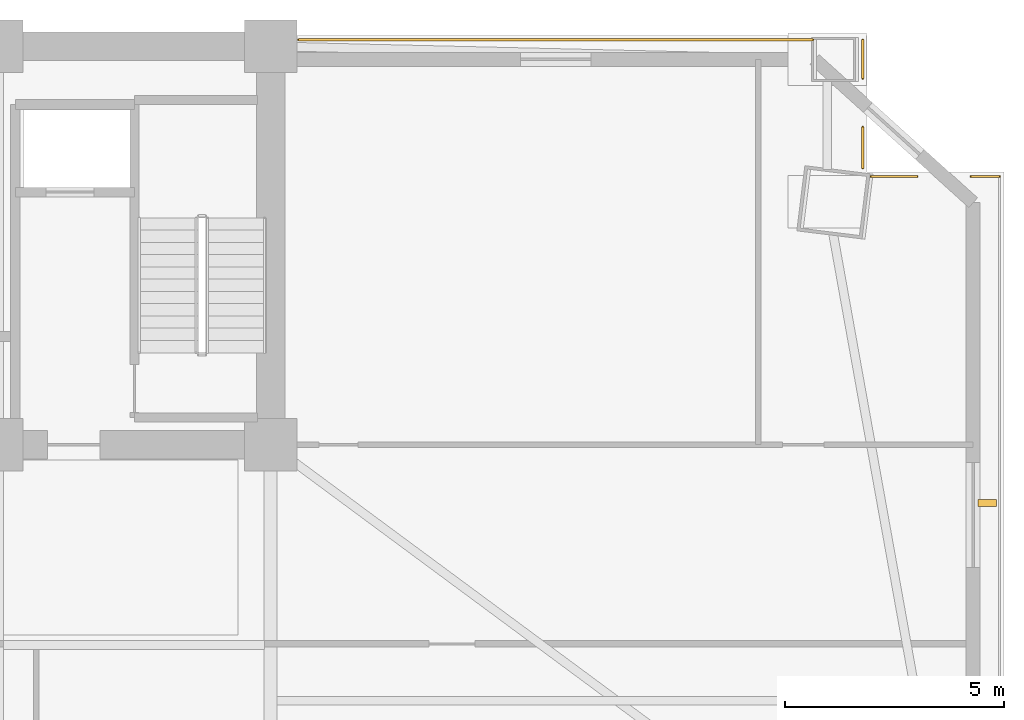
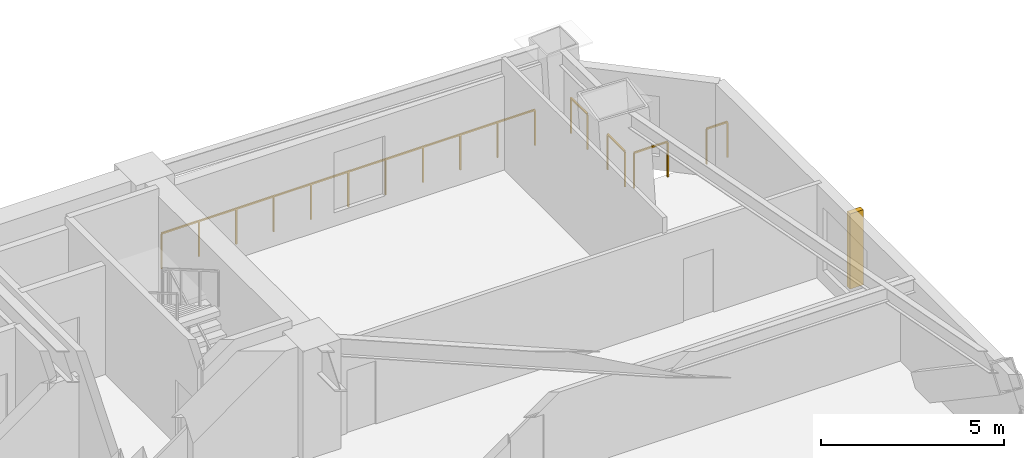
# One storey, part 18 of 18: 5 railings, 1 shading device.
"""IFC4 building model written with IfcOpenShell, lengths in metres."""

from ifc_helpers import new_model, si_unit, direction, frame, origin, origin_2d, place, context, subcontext, project, spatial, rectangle, extrude, source, transform, mapped, material, type_object, element, save


model = new_model("IFC4")

# Units and contexts
model_context = context("Model", 3, precision=1e-05, world=origin(), true_north=direction((0.0, 1.0)))
body_context = subcontext(model_context, "Body", "Model", "MODEL_VIEW")
ifc_project = project(units=[si_unit("LENGTHUNIT", "METRE"), si_unit("AREAUNIT", "SQUARE_METRE"), si_unit("VOLUMEUNIT", "CUBIC_METRE"), si_unit("PLANEANGLEUNIT", "RADIAN"), si_unit("MASSUNIT", "GRAM", prefix="KILO")], contexts=[model_context])

# Site, building, storey
site_placement = place(None, origin())
site = spatial("IfcSite", under=ifc_project, at=site_placement, CompositionType="ELEMENT")
building_placement = place(site_placement, origin())
building = spatial("IfcBuilding", under=site, at=building_placement, Name="Giltprow Tower", CompositionType="ELEMENT")
storey_placement = place(building_placement, frame((0.0, 0.0, 68.89990234375)))
storey = spatial("IfcBuildingStorey", under=building, at=storey_placement, Name="L17", CompositionType="ELEMENT", Elevation=68.89990234375)

# Railings
ifc_material = material(Name="Anodized bronze", Category="metal")
railing_type = type_object("IfcRailingType", Name="RAIL-BALC-GUARD-1200", PredefinedType="BALUSTRADE", material=ifc_material)
railing_1_placement = place(storey_placement, frame((51.18505859375, 46.699951171875, 0.0)))
element("IfcRailing", 1, at=railing_1_placement, inside=storey, type_object=railing_type, Name="L17 Corner Apron Edge Balustrade 11", PredefinedType="BALUSTRADE", context=body_context, shape_type="SweptSolid", body=[
    extrude(rectangle(XDim=0.048095703125, YDim=0.048095703125, at=origin_2d()), frame((0.0, 0.0, 1.17578125), z_axis=(1.0, 0.0, 0.0), x_axis=(0.0, 1.0, 0.0)), (0.0, 0.0, 1.0), 11.75390625),
    extrude(rectangle(XDim=0.0419921875, YDim=0.0419921875, at=origin_2d()), origin(), (0.0, 0.0, 1.0), 1.15185546875),
    extrude(rectangle(XDim=0.0419921875, YDim=0.0419921875, at=origin_2d()), frame((1.17529296875, 0.0, 0.0)), (0.0, 0.0, 1.0), 1.15185546875),
    extrude(rectangle(XDim=0.0419921875, YDim=0.0419921875, at=origin_2d()), frame((2.350830078125, 0.0, 0.0)), (0.0, 0.0, 1.0), 1.15185546875),
    extrude(rectangle(XDim=0.0419921875, YDim=0.0419921875, at=origin_2d()), frame((3.526123046875, 0.0, 0.0)), (0.0, 0.0, 1.0), 1.15185546875),
    extrude(rectangle(XDim=0.0419921875, YDim=0.0419921875, at=origin_2d()), frame((4.70166015625, 0.0, 0.0)), (0.0, 0.0, 1.0), 1.15185546875),
    extrude(rectangle(XDim=0.0419921875, YDim=0.0419921875, at=origin_2d()), frame((5.876953125, 0.0, 0.0)), (0.0, 0.0, 1.0), 1.15185546875),
    extrude(rectangle(XDim=0.0419921875, YDim=0.0419921875, at=origin_2d()), frame((7.05224609375, 0.0, 0.0)), (0.0, 0.0, 1.0), 1.15185546875),
    extrude(rectangle(XDim=0.0419921875, YDim=0.0419921875, at=origin_2d()), frame((8.227783203125, 0.0, 0.0)), (0.0, 0.0, 1.0), 1.15185546875),
    extrude(rectangle(XDim=0.0419921875, YDim=0.0419921875, at=origin_2d()), frame((9.403076171875, 0.0, 0.0)), (0.0, 0.0, 1.0), 1.15185546875),
    extrude(rectangle(XDim=0.0419921875, YDim=0.0419921875, at=origin_2d()), frame((10.57861328125, 0.0, 0.0)), (0.0, 0.0, 1.0), 1.15185546875),
    extrude(rectangle(XDim=0.0419921875, YDim=0.0419921875, at=origin_2d()), frame((11.75390625, 0.0, 0.0)), (0.0, 0.0, 1.0), 1.15185546875),
])
railing_2_placement = place(storey_placement, frame((64.073974609375, 46.699951171875, 0.0)))
element("IfcRailing", 2, at=railing_2_placement, inside=storey, type_object=railing_type, Name="L17 Corner Apron Edge Balustrade 12", PredefinedType="BALUSTRADE", context=body_context, shape_type="SweptSolid", body=[
    extrude(rectangle(XDim=0.048095703125, YDim=0.048095703125, at=origin_2d()), frame((0.0, 0.0, 1.17578125), z_axis=(0.0, -1.0, 0.0), x_axis=(1.0, 0.0, 0.0)), (0.0, 0.0, 1.0), 0.890869140625),
    extrude(rectangle(XDim=0.0419921875, YDim=0.0419921875, at=origin_2d()), origin(), (0.0, 0.0, 1.0), 1.15185546875),
    extrude(rectangle(XDim=0.0419921875, YDim=0.0419921875, at=origin_2d()), frame((0.0, -0.890869140625, 0.0)), (0.0, 0.0, 1.0), 1.15185546875),
])
railing_3_placement = place(storey_placement, frame((64.073974609375, 44.7041015625, 0.0)))
element("IfcRailing", 3, at=railing_3_placement, inside=storey, type_object=railing_type, Name="L17 Corner Apron Edge Balustrade 13", PredefinedType="BALUSTRADE", context=body_context, shape_type="SweptSolid", body=[
    extrude(rectangle(XDim=0.048095703125, YDim=0.048095703125, at=origin_2d()), frame((0.0, 0.0, 1.17578125), z_axis=(0.0, -1.0, 0.0), x_axis=(1.0, 0.0, 0.0)), (0.0, 0.0, 1.0), 0.941162109375),
    extrude(rectangle(XDim=0.0419921875, YDim=0.0419921875, at=origin_2d()), origin(), (0.0, 0.0, 1.0), 1.15185546875),
    extrude(rectangle(XDim=0.0419921875, YDim=0.0419921875, at=origin_2d()), frame((0.0, -0.941162109375, 0.0)), (0.0, 0.0, 1.0), 1.15185546875),
])
railing_4_placement = place(storey_placement, frame((64.259033203125, 43.577880859375, 0.0)))
element("IfcRailing", 4, at=railing_4_placement, inside=storey, type_object=railing_type, Name="L17 Corner Apron Edge Balustrade 14", PredefinedType="BALUSTRADE", context=body_context, shape_type="SweptSolid", body=[
    extrude(rectangle(XDim=0.048095703125, YDim=0.048095703125, at=origin_2d()), frame((0.0, 0.0, 1.17578125), z_axis=(1.0, 0.0, 0.0), x_axis=(0.0, 1.0, 0.0)), (0.0, 0.0, 1.0), 1.06103515625),
    extrude(rectangle(XDim=0.0419921875, YDim=0.0419921875, at=origin_2d()), origin(), (0.0, 0.0, 1.0), 1.15185546875),
    extrude(rectangle(XDim=0.0419921875, YDim=0.0419921875, at=origin_2d()), frame((1.06103515625, 0.0, 0.0)), (0.0, 0.0, 1.0), 1.15185546875),
])
railing_5_placement = place(storey_placement, frame((66.54296875, 43.577880859375, 0.0)))
element("IfcRailing", 5, at=railing_5_placement, inside=storey, type_object=railing_type, Name="L17 Corner Apron Edge Balustrade 15", PredefinedType="BALUSTRADE", context=body_context, shape_type="SweptSolid", body=[
    extrude(rectangle(XDim=0.048095703125, YDim=0.048095703125, at=origin_2d()), frame((0.0, 0.0, 1.17578125), z_axis=(1.0, 0.0, 0.0), x_axis=(0.0, 1.0, 0.0)), (0.0, 0.0, 1.0), 0.653076171875),
    extrude(rectangle(XDim=0.0419921875, YDim=0.0419921875, at=origin_2d()), origin(), (0.0, 0.0, 1.0), 1.15185546875),
    extrude(rectangle(XDim=0.0419921875, YDim=0.0419921875, at=origin_2d()), frame((0.653076171875, 0.0, 0.0)), (0.0, 0.0, 1.0), 1.15185546875),
])

# Shading device
shading_device_type = type_object("IfcShadingDeviceType", Name="SHD-FIN-420", PredefinedType="USERDEFINED", material=ifc_material)
shared_shape = source(origin(), body_context, "Body", "SweptSolid", [
    extrude(rectangle(XDim=0.419921875, YDim=0.159912109375, at=origin_2d()), origin(), (0.0, 0.0, 1.0), 2.5),
])
shading_device_placement = place(storey_placement, frame((66.916015625, 36.116943359375, 0.35009765625), z_axis=(0.0, 0.0, 1.0), x_axis=(1.0, 0.0, 0.0)))
element("IfcShadingDevice", 6, at=shading_device_placement, inside=storey, type_object=shading_device_type, Name="L17 E Bronze Vertical Fin 2-1", ObjectType="FIN", PredefinedType="USERDEFINED", context=body_context, shape_type="MappedRepresentation", body=[
    mapped(shared_shape, transform((0.0, 0.0, 0.0), x_axis=(1.0, 0.0, 0.0), y_axis=(0.0, 1.0, 0.0), z_axis=(0.0, 0.0, 1.0), scale=1.0)),
])

save(model, "model.ifc")
